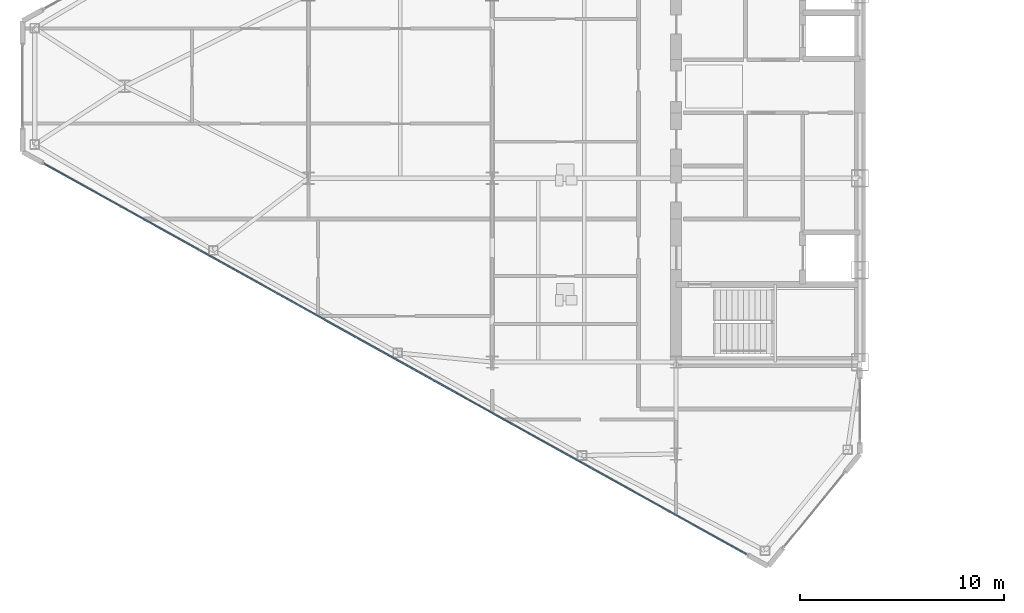
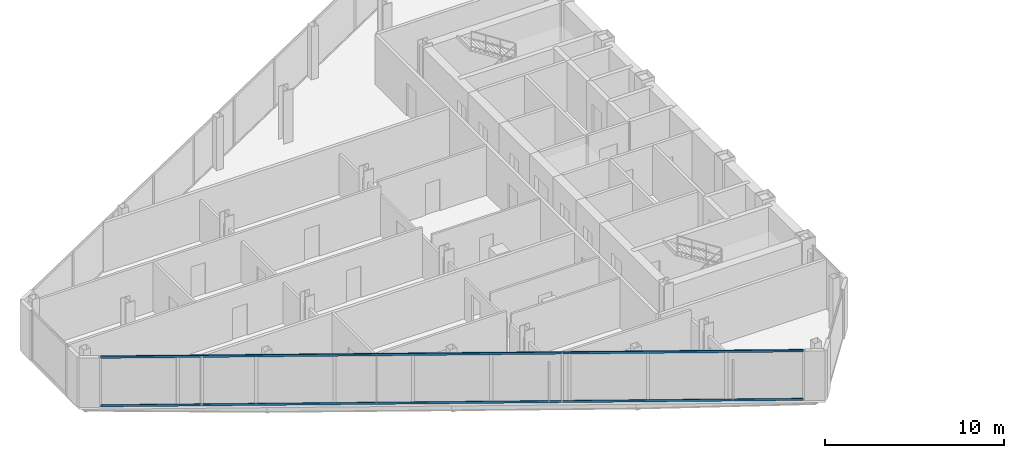
# One storey, part 4 of 26: 2 members, 1 element without a shape of its own.
"""IFC4 building model written with IfcOpenShell, lengths in metres."""

from ifc_helpers import new_model, si_unit, direction, frame, origin, origin_2d, place, context, subcontext, project, spatial, rectangle, extrude, source, transform, mapped, material, layer, layer_set, material_profile, profile_set, type_object, type_shapes, element, aggregate, save


model = new_model("IFC4")

# Units and contexts
model_context = context("Model", 3, precision=1e-05, world=origin(), true_north=direction((0.0, 1.0)))
body_context = subcontext(model_context, "Body", "Model", "MODEL_VIEW")
ifc_project = project(units=[si_unit("LENGTHUNIT", "METRE"), si_unit("AREAUNIT", "SQUARE_METRE"), si_unit("VOLUMEUNIT", "CUBIC_METRE"), si_unit("PLANEANGLEUNIT", "RADIAN"), si_unit("MASSUNIT", "GRAM", prefix="KILO")], contexts=[model_context])

# Site, building, storey
site_placement = place(None, origin())
site = spatial("IfcSite", under=ifc_project, at=site_placement, CompositionType="ELEMENT")
building_placement = place(site_placement, origin())
building = spatial("IfcBuilding", under=site, at=building_placement, Name="Seokmaru Belvedere", CompositionType="ELEMENT")
storey_placement = place(building_placement, frame((0.0, 0.0, 181.5)))
storey = spatial("IfcBuildingStorey", under=building, at=storey_placement, Name="L48", CompositionType="ELEMENT", Elevation=181.5)

# Curtain wall, members
ifc_material_1 = material(Name="Bronze Triple Insulating Glass", Category="glass")
ifc_layer = layer(ifc_material_1, 0.179931640625)
ifc_layer_set = layer_set([ifc_layer], Name="Bronze Triple Insulating Glass")
curtain_wall_type = type_object("IfcCurtainWallType", Name="High-Rise Wind-Corner Curtain Wall System CW-5", PredefinedType="NOTDEFINED", material=ifc_layer_set)
curtain_wall_placement = place(storey_placement, origin())
curtain_wall = element("IfcCurtainWall", 1, at=curtain_wall_placement, inside=storey, type_object=curtain_wall_type, Name="L48 Curtain Wall WF5", PredefinedType="NOTDEFINED")
ifc_material_2 = material(Name="Anodised Bronze Aluminium", Category="aluminium")
ifc_material_profile = material_profile(ifc_material_2, rectangle(XDim=0.06494140625, YDim=0.14990234375, at=origin_2d()), Name="CW-T-65x150")
ifc_profile_set = profile_set([ifc_material_profile], Name="Anodised Bronze Aluminium")
member_type = type_object("IfcMemberType", Name="Bronze Unitised Transom 65x150", PredefinedType="USERDEFINED", material=ifc_profile_set)
shared_shape = source(origin(), body_context, "Body", "SweptSolid", [
    extrude(rectangle(XDim=0.06494140625, YDim=0.14990234375, at=origin_2d()), origin(), (0.0, 0.0, 1.0), 39.33544921875),
])
type_shapes(member_type, [shared_shape])
member_1_placement = place(storey_placement, frame((-67.438232421875, -3.79052734375, 0.032470703125), z_axis=(0.873932045133, -0.486048125693, 0.0), x_axis=(0.486048125693, 0.873932045133, 0.0)))
member_1 = element("IfcMember", 2, at=member_1_placement, type_object=member_type, Name="CW:L48:WF5 Continuous Transom 1", ObjectType="TRANSOM", PredefinedType="USERDEFINED", context=body_context, shape_type="MappedRepresentation", body=[
    mapped(shared_shape, transform((0.0, 0.0, 0.0), scale=1.0)),
])
member_2_placement = place(storey_placement, frame((-67.438232421875, -3.79052734375, 3.347412109375), z_axis=(0.873932045133, -0.486048125693, 0.0), x_axis=(0.486048125693, 0.873932045133, 0.0)))
member_2 = element("IfcMember", 3, at=member_2_placement, type_object=member_type, Name="CW:L48:WF5 Continuous Transom 2", ObjectType="TRANSOM", PredefinedType="USERDEFINED", context=body_context, shape_type="MappedRepresentation", body=[
    mapped(shared_shape, transform((0.0, 0.0, 0.0), scale=1.0)),
])
aggregate(curtain_wall, [member_1, member_2])

save(model, "model.ifc")
